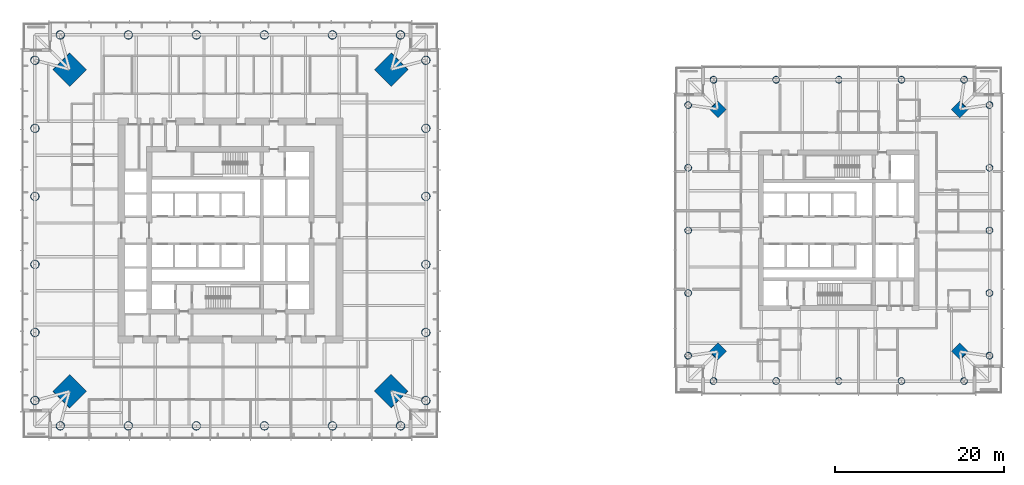
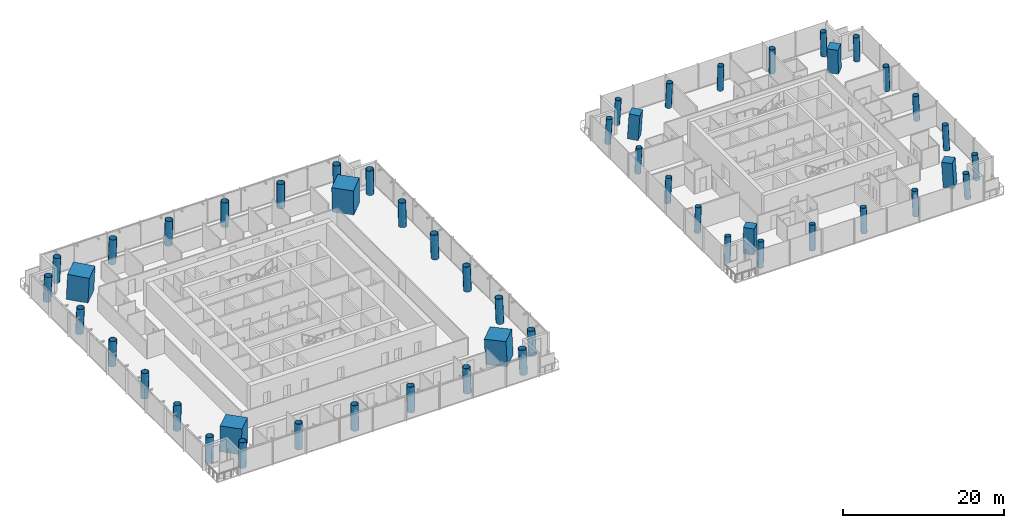
# One storey, part 1 of 21: 52 columns.
"""IFC4 building model written with IfcOpenShell, lengths in metres."""

from ifc_helpers import new_model, si_unit, direction, frame, origin, origin_2d, place, context, subcontext, project, spatial, rectangle, hollow_circle, extrude, material, material_profile, profile_set, type_object, element, save


model = new_model("IFC4")

# Units and contexts
model_context = context("Model", 3, precision=1e-05, world=origin(), true_north=direction((0.0, 1.0)))
body_context = subcontext(model_context, "Body", "Model", "MODEL_VIEW")
ifc_project = project(units=[si_unit("LENGTHUNIT", "METRE"), si_unit("AREAUNIT", "SQUARE_METRE"), si_unit("VOLUMEUNIT", "CUBIC_METRE"), si_unit("PLANEANGLEUNIT", "RADIAN"), si_unit("MASSUNIT", "GRAM", prefix="KILO")], contexts=[model_context])

# Site, building, storey
site_placement = place(None, origin())
site = spatial("IfcSite", under=ifc_project, at=site_placement, CompositionType="ELEMENT")
building_placement = place(site_placement, origin())
building = spatial("IfcBuilding", under=site, at=building_placement, Name="Ostroluk Exchange", CompositionType="ELEMENT")
storey_placement = place(building_placement, frame((0.0, 0.0, 47.60009765625)))
storey = spatial("IfcBuildingStorey", under=building, at=storey_placement, Name="L11", CompositionType="ELEMENT", Elevation=47.60009765625)

# Columns
ifc_material_1 = material(Name="Concrete C50/60", Category="concrete")
ifc_material_profile_1 = material_profile(ifc_material_1, rectangle(XDim=1.39990234375, YDim=1.39990234375, at=origin_2d()), Name="RC 1400x1400")
ifc_profile_set_1 = profile_set([ifc_material_profile_1], Name="Concrete C50/60")
column_type_1 = type_object("IfcColumnType", Name="Mega column RC 1400x1400", PredefinedType="COLUMN", material=ifc_profile_set_1)
for number, where, z_axis, x_axis, name in (
    (1, (131.353515625, 60.353515625, 0.0), (-0.043032401563, -0.043032401563, 0.998146494675), (0.707106781187, -0.707106781187, 0.0), "T2 mega column NE"),
    (2, (102.646484375, 60.353515625, 0.0), (0.043032401563, -0.043032401563, 0.998146494675), (0.707106781187, 0.707106781187, 0.0), "T2 mega column NW"),
    (3, (102.646484375, 31.646484375, 0.0), (0.043032401563, 0.043032401563, 0.998146494675), (-0.707106781187, 0.707106781187, 0.0), "T2 mega column SW"),
    (4, (131.353515625, 31.646484375, 0.0), (-0.043032401563, 0.043032401563, 0.998146494675), (-0.707106781187, -0.707106781187, 0.0), "T2 mega column SE"),
):
    element("IfcColumn", number, at=place(storey_placement, frame(where, z_axis=z_axis, x_axis=x_axis)), inside=storey, type_object=column_type_1, Name=name, PredefinedType="COLUMN", context=body_context, shape_type="SweptSolid", body=[
        extrude(rectangle(XDim=1.39990234375, YDim=1.39990234375, at=origin_2d()), origin(), (0.0, 0.0, 1.0), 3.806884765625),
    ])
ifc_material_2 = material(Name="Concrete C50/60", Category="concrete")
ifc_material_profile_2 = material_profile(ifc_material_2, rectangle(XDim=2.800048828125, YDim=2.800048828125, at=origin_2d()), Name="RC 2800x2800")
ifc_profile_set_2 = profile_set([ifc_material_profile_2], Name="Concrete C50/60")
column_type_2 = type_object("IfcColumnType", Name="Mega column RC 2800x2800", PredefinedType="COLUMN", material=ifc_profile_set_2)
for number, where, z_axis, x_axis, name in (
    (5, (64.050048828125, 65.050048828125, 0.0), (-0.031964207655, -0.031964207655, 0.998977766949), (0.707106781187, -0.707106781187, 0.0), "T1 mega column NE"),
    (6, (25.949951171875, 65.050048828125, 0.0), (0.031964207655, -0.031964207655, 0.998977766949), (0.707106781187, 0.707106781187, 0.0), "T1 mega column NW"),
    (7, (25.949951171875, 26.949951171875, 0.0), (0.031964207655, 0.031964207655, 0.998977766949), (-0.707106781187, 0.707106781187, 0.0), "T1 mega column SW"),
    (8, (64.050048828125, 26.949951171875, 0.0), (-0.031964207655, 0.031964207655, 0.998977766949), (-0.707106781187, -0.707106781187, 0.0), "T1 mega column SE"),
):
    element("IfcColumn", number, at=place(storey_placement, frame(where, z_axis=z_axis, x_axis=x_axis)), inside=storey, type_object=column_type_2, Name=name, PredefinedType="COLUMN", context=body_context, shape_type="SweptSolid", body=[
        extrude(rectangle(XDim=2.800048828125, YDim=2.800048828125, at=origin_2d()), origin(), (0.0, 0.0, 1.0), 3.8037109375),
    ])
ifc_material_3 = material(Name="Steel S460", Category="steel")
ifc_material_profile_3 = material_profile(ifc_material_3, hollow_circle(Radius=0.508056640625, WallThickness=0.0400390625, at=origin_2d()), Name="CHS 1016x40")
ifc_profile_set_3 = profile_set([ifc_material_profile_3], Name="Steel S460")
column_type_3 = type_object("IfcColumnType", Name="Perimeter column CHS 1016x40", PredefinedType="COLUMN", material=ifc_profile_set_3)
for number, where, z_axis, x_axis, name in (
    (9, (68.14990234375, 25.85009765625, 0.0), (-0.031900153262, 0.031900153262, 0.998981861919), (-0.707106781187, -0.707106781187, 0.0), "T1 east face column E0"),
    (10, (68.14990234375, 66.14990234375, 0.0), (-0.031900153262, -0.031900153262, 0.998981861919), (0.707106781187, -0.707106781187, 0.0), "T1 east face column E1"),
):
    element("IfcColumn", number, at=place(storey_placement, frame(where, z_axis=z_axis, x_axis=x_axis)), inside=storey, type_object=column_type_3, Name=name, PredefinedType="COLUMN", context=body_context, shape_type="SweptSolid", body=[
        extrude(hollow_circle(Radius=0.508056640625, WallThickness=0.0400390625, at=origin_2d()), origin(), (0.0, 0.0, 1.0), 3.8037109375),
    ])
column_1_placement = place(storey_placement, frame((68.14990234375, 33.909912109375, 0.0), z_axis=(-0.031910514827, 0.01919767391, 0.9993063436), x_axis=(-0.515509579284, -0.856883815734, 0.0)))
element("IfcColumn", 11, at=column_1_placement, inside=storey, type_object=column_type_3, Name="T1 east face column I1", PredefinedType="COLUMN", context=body_context, shape_type="SweptSolid", body=[
    extrude(hollow_circle(Radius=0.508056640625, WallThickness=0.0400390625, at=origin_2d()), origin(), (0.0, 0.0, 1.0), 3.802490234375),
])
for number, where, z_axis, x_axis, name in (
    (12, (68.14990234375, 41.969970703125, 0.0), (-0.031915738684, 0.006421677804, 0.999469933354), (-0.197254006954, -0.980352414563, 0.0), "T1 east face column I2"),
    (13, (68.14990234375, 50.030029296875, 0.0), (-0.031915738684, -0.006421677804, 0.999469933354), (0.197254006954, -0.980352414563, 0.0), "T1 east face column I3"),
):
    element("IfcColumn", number, at=place(storey_placement, frame(where, z_axis=z_axis, x_axis=x_axis)), inside=storey, type_object=column_type_3, Name=name, PredefinedType="COLUMN", context=body_context, shape_type="SweptSolid", body=[
        extrude(hollow_circle(Radius=0.508056640625, WallThickness=0.0400390625, at=origin_2d()), origin(), (0.0, 0.0, 1.0), 3.8017578125),
    ])
column_2_placement = place(storey_placement, frame((68.14990234375, 58.090087890625, 0.0), z_axis=(-0.031910514827, -0.01919767391, 0.9993063436), x_axis=(0.515509579284, -0.856883815734, 0.0)))
element("IfcColumn", 14, at=column_2_placement, inside=storey, type_object=column_type_3, Name="T1 east face column I4", PredefinedType="COLUMN", context=body_context, shape_type="SweptSolid", body=[
    extrude(hollow_circle(Radius=0.508056640625, WallThickness=0.0400390625, at=origin_2d()), origin(), (0.0, 0.0, 1.0), 3.802490234375),
])
for number, where, z_axis, x_axis, name in (
    (15, (65.14990234375, 69.14990234375, 0.0), (-0.031900153262, -0.031900153262, 0.998981861919), (0.707106781187, -0.707106781187, 0.0), "T1 north face column E0"),
    (16, (24.85009765625, 69.14990234375, 0.0), (0.031900153262, -0.031900153262, 0.998981861919), (0.707106781187, 0.707106781187, 0.0), "T1 north face column E1"),
):
    element("IfcColumn", number, at=place(storey_placement, frame(where, z_axis=z_axis, x_axis=x_axis)), inside=storey, type_object=column_type_3, Name=name, PredefinedType="COLUMN", context=body_context, shape_type="SweptSolid", body=[
        extrude(hollow_circle(Radius=0.508056640625, WallThickness=0.0400390625, at=origin_2d()), origin(), (0.0, 0.0, 1.0), 3.8037109375),
    ])
column_3_placement = place(storey_placement, frame((57.090087890625, 69.14990234375, 0.0), z_axis=(-0.01919767391, -0.031910514827, 0.9993063436), x_axis=(0.856883815734, -0.515509579284, 0.0)))
element("IfcColumn", 17, at=column_3_placement, inside=storey, type_object=column_type_3, Name="T1 north face column I1", PredefinedType="COLUMN", context=body_context, shape_type="SweptSolid", body=[
    extrude(hollow_circle(Radius=0.508056640625, WallThickness=0.0400390625, at=origin_2d()), origin(), (0.0, 0.0, 1.0), 3.802490234375),
])
for number, where, z_axis, x_axis, name in (
    (18, (49.030029296875, 69.14990234375, 0.0), (-0.006421677804, -0.031915738684, 0.999469933354), (0.980352414563, -0.197254006954, 0.0), "T1 north face column I2"),
    (19, (40.969970703125, 69.14990234375, 0.0), (0.006421677804, -0.031915738684, 0.999469933354), (0.980352414563, 0.197254006954, 0.0), "T1 north face column I3"),
):
    element("IfcColumn", number, at=place(storey_placement, frame(where, z_axis=z_axis, x_axis=x_axis)), inside=storey, type_object=column_type_3, Name=name, PredefinedType="COLUMN", context=body_context, shape_type="SweptSolid", body=[
        extrude(hollow_circle(Radius=0.508056640625, WallThickness=0.0400390625, at=origin_2d()), origin(), (0.0, 0.0, 1.0), 3.8017578125),
    ])
column_4_placement = place(storey_placement, frame((32.909912109375, 69.14990234375, 0.0), z_axis=(0.01919767391, -0.031910514827, 0.9993063436), x_axis=(0.856883815734, 0.515509579284, 0.0)))
element("IfcColumn", 20, at=column_4_placement, inside=storey, type_object=column_type_3, Name="T1 north face column I4", PredefinedType="COLUMN", context=body_context, shape_type="SweptSolid", body=[
    extrude(hollow_circle(Radius=0.508056640625, WallThickness=0.0400390625, at=origin_2d()), origin(), (0.0, 0.0, 1.0), 3.802490234375),
])
for number, where, z_axis, x_axis, name in (
    (21, (21.85009765625, 66.14990234375, 0.0), (0.031900153262, -0.031900153262, 0.998981861919), (0.707106781187, 0.707106781187, 0.0), "T1 west face column E0"),
    (22, (21.85009765625, 25.85009765625, 0.0), (0.031900153262, 0.031900153262, 0.998981861919), (-0.707106781187, 0.707106781187, 0.0), "T1 west face column E1"),
):
    element("IfcColumn", number, at=place(storey_placement, frame(where, z_axis=z_axis, x_axis=x_axis)), inside=storey, type_object=column_type_3, Name=name, PredefinedType="COLUMN", context=body_context, shape_type="SweptSolid", body=[
        extrude(hollow_circle(Radius=0.508056640625, WallThickness=0.0400390625, at=origin_2d()), origin(), (0.0, 0.0, 1.0), 3.8037109375),
    ])
column_5_placement = place(storey_placement, frame((21.85009765625, 58.090087890625, 0.0), z_axis=(0.031910514827, -0.01919767391, 0.9993063436), x_axis=(0.515509579284, 0.856883815734, 0.0)))
element("IfcColumn", 23, at=column_5_placement, inside=storey, type_object=column_type_3, Name="T1 west face column I1", PredefinedType="COLUMN", context=body_context, shape_type="SweptSolid", body=[
    extrude(hollow_circle(Radius=0.508056640625, WallThickness=0.0400390625, at=origin_2d()), origin(), (0.0, 0.0, 1.0), 3.802490234375),
])
for number, where, z_axis, x_axis, name in (
    (24, (21.85009765625, 50.030029296875, 0.0), (0.031915738684, -0.006421677804, 0.999469933354), (0.197254006954, 0.980352414563, 0.0), "T1 west face column I2"),
    (25, (21.85009765625, 41.969970703125, 0.0), (0.031915738684, 0.006421677804, 0.999469933354), (-0.197254006954, 0.980352414563, 0.0), "T1 west face column I3"),
):
    element("IfcColumn", number, at=place(storey_placement, frame(where, z_axis=z_axis, x_axis=x_axis)), inside=storey, type_object=column_type_3, Name=name, PredefinedType="COLUMN", context=body_context, shape_type="SweptSolid", body=[
        extrude(hollow_circle(Radius=0.508056640625, WallThickness=0.0400390625, at=origin_2d()), origin(), (0.0, 0.0, 1.0), 3.8017578125),
    ])
column_6_placement = place(storey_placement, frame((21.85009765625, 33.909912109375, 0.0), z_axis=(0.031910514827, 0.01919767391, 0.9993063436), x_axis=(-0.515509579284, 0.856883815734, 0.0)))
element("IfcColumn", 26, at=column_6_placement, inside=storey, type_object=column_type_3, Name="T1 west face column I4", PredefinedType="COLUMN", context=body_context, shape_type="SweptSolid", body=[
    extrude(hollow_circle(Radius=0.508056640625, WallThickness=0.0400390625, at=origin_2d()), origin(), (0.0, 0.0, 1.0), 3.802490234375),
])
for number, where, z_axis, x_axis, name in (
    (27, (24.85009765625, 22.85009765625, 0.0), (0.031900153262, 0.031900153262, 0.998981861919), (-0.707106781187, 0.707106781187, 0.0), "T1 south face column E0"),
    (28, (65.14990234375, 22.85009765625, 0.0), (-0.031900153262, 0.031900153262, 0.998981861919), (-0.707106781187, -0.707106781187, 0.0), "T1 south face column E1"),
):
    element("IfcColumn", number, at=place(storey_placement, frame(where, z_axis=z_axis, x_axis=x_axis)), inside=storey, type_object=column_type_3, Name=name, PredefinedType="COLUMN", context=body_context, shape_type="SweptSolid", body=[
        extrude(hollow_circle(Radius=0.508056640625, WallThickness=0.0400390625, at=origin_2d()), origin(), (0.0, 0.0, 1.0), 3.8037109375),
    ])
column_7_placement = place(storey_placement, frame((32.909912109375, 22.85009765625, 0.0), z_axis=(0.01919767391, 0.031910514827, 0.9993063436), x_axis=(-0.856883815734, 0.515509579284, 0.0)))
element("IfcColumn", 29, at=column_7_placement, inside=storey, type_object=column_type_3, Name="T1 south face column I1", PredefinedType="COLUMN", context=body_context, shape_type="SweptSolid", body=[
    extrude(hollow_circle(Radius=0.508056640625, WallThickness=0.0400390625, at=origin_2d()), origin(), (0.0, 0.0, 1.0), 3.802490234375),
])
for number, where, z_axis, x_axis, name in (
    (30, (40.969970703125, 22.85009765625, 0.0), (0.006421677804, 0.031915738684, 0.999469933354), (-0.980352414563, 0.197254006954, 0.0), "T1 south face column I2"),
    (31, (49.030029296875, 22.85009765625, 0.0), (-0.006421677804, 0.031915738684, 0.999469933354), (-0.980352414563, -0.197254006954, 0.0), "T1 south face column I3"),
):
    element("IfcColumn", number, at=place(storey_placement, frame(where, z_axis=z_axis, x_axis=x_axis)), inside=storey, type_object=column_type_3, Name=name, PredefinedType="COLUMN", context=body_context, shape_type="SweptSolid", body=[
        extrude(hollow_circle(Radius=0.508056640625, WallThickness=0.0400390625, at=origin_2d()), origin(), (0.0, 0.0, 1.0), 3.8017578125),
    ])
column_8_placement = place(storey_placement, frame((57.090087890625, 22.85009765625, 0.0), z_axis=(-0.01919767391, 0.031910514827, 0.9993063436), x_axis=(-0.856883815734, -0.515509579284, 0.0)))
element("IfcColumn", 32, at=column_8_placement, inside=storey, type_object=column_type_3, Name="T1 south face column I4", PredefinedType="COLUMN", context=body_context, shape_type="SweptSolid", body=[
    extrude(hollow_circle(Radius=0.508056640625, WallThickness=0.0400390625, at=origin_2d()), origin(), (0.0, 0.0, 1.0), 3.802490234375),
])
ifc_material_4 = material(Name="Steel S460", Category="steel")
ifc_material_profile_4 = material_profile(ifc_material_4, hollow_circle(Radius=0.406494140625, WallThickness=0.030029296875, at=origin_2d()), Name="CHS 813x30")
ifc_profile_set_4 = profile_set([ifc_material_profile_4], Name="Steel S460")
column_type_4 = type_object("IfcColumnType", Name="Perimeter column CHS 813x30", PredefinedType="COLUMN", material=ifc_profile_set_4)
for number, where, z_axis, x_axis, name in (
    (33, (134.853515625, 31.146484375, 0.0), (-0.043032401563, 0.043032401563, 0.998146494675), (-0.707106781187, -0.707106781187, 0.0), "T2 east face column E0"),
    (34, (134.853515625, 60.853515625, 0.0), (-0.043032401563, -0.043032401563, 0.998146494675), (0.707106781187, -0.707106781187, 0.0), "T2 east face column E1"),
):
    element("IfcColumn", number, at=place(storey_placement, frame(where, z_axis=z_axis, x_axis=x_axis)), inside=storey, type_object=column_type_4, Name=name, PredefinedType="COLUMN", context=body_context, shape_type="SweptSolid", body=[
        extrude(hollow_circle(Radius=0.406494140625, WallThickness=0.030029296875, at=origin_2d()), origin(), (0.0, 0.0, 1.0), 3.806884765625),
    ])
column_9_placement = place(storey_placement, frame((134.853515625, 38.5732421875, 0.0), z_axis=(-0.043062285527, 0.021563230905, 0.998839660125), x_axis=(-0.44774654769, -0.894160516368, 0.0)))
element("IfcColumn", 35, at=column_9_placement, inside=storey, type_object=column_type_4, Name="T2 east face column I1", PredefinedType="COLUMN", context=body_context, shape_type="SweptSolid", body=[
    extrude(hollow_circle(Radius=0.406494140625, WallThickness=0.030029296875, at=origin_2d()), origin(), (0.0, 0.0, 1.0), 3.80419921875),
])
column_10_placement = place(storey_placement, frame((134.853515625, 46.0, 0.0), z_axis=(-0.043072300418, 0.0, 0.999071957837), x_axis=(0.0, -1.0, 0.0)))
element("IfcColumn", 36, at=column_10_placement, inside=storey, type_object=column_type_4, Name="T2 east face column I2", PredefinedType="COLUMN", context=body_context, shape_type="SweptSolid", body=[
    extrude(hollow_circle(Radius=0.406494140625, WallThickness=0.030029296875, at=origin_2d()), origin(), (0.0, 0.0, 1.0), 3.80322265625),
])
column_11_placement = place(storey_placement, frame((134.853515625, 53.4267578125, 0.0), z_axis=(-0.043062285527, -0.021563230905, 0.998839660125), x_axis=(0.44774654769, -0.894160516368, 0.0)))
element("IfcColumn", 37, at=column_11_placement, inside=storey, type_object=column_type_4, Name="T2 east face column I3", PredefinedType="COLUMN", context=body_context, shape_type="SweptSolid", body=[
    extrude(hollow_circle(Radius=0.406494140625, WallThickness=0.030029296875, at=origin_2d()), origin(), (0.0, 0.0, 1.0), 3.80419921875),
])
for number, where, z_axis, x_axis, name in (
    (38, (131.853515625, 63.853515625, 0.0), (-0.043032401563, -0.043032401563, 0.998146494675), (0.707106781187, -0.707106781187, 0.0), "T2 north face column E0"),
    (39, (102.146484375, 63.853515625, 0.0), (0.043032401563, -0.043032401563, 0.998146494675), (0.707106781187, 0.707106781187, 0.0), "T2 north face column E1"),
):
    element("IfcColumn", number, at=place(storey_placement, frame(where, z_axis=z_axis, x_axis=x_axis)), inside=storey, type_object=column_type_4, Name=name, PredefinedType="COLUMN", context=body_context, shape_type="SweptSolid", body=[
        extrude(hollow_circle(Radius=0.406494140625, WallThickness=0.030029296875, at=origin_2d()), origin(), (0.0, 0.0, 1.0), 3.806884765625),
    ])
column_12_placement = place(storey_placement, frame((124.4267578125, 63.853515625, 0.0), z_axis=(-0.021563230905, -0.043062285527, 0.998839660125), x_axis=(0.894160516368, -0.44774654769, 0.0)))
element("IfcColumn", 40, at=column_12_placement, inside=storey, type_object=column_type_4, Name="T2 north face column I1", PredefinedType="COLUMN", context=body_context, shape_type="SweptSolid", body=[
    extrude(hollow_circle(Radius=0.406494140625, WallThickness=0.030029296875, at=origin_2d()), origin(), (0.0, 0.0, 1.0), 3.80419921875),
])
column_13_placement = place(storey_placement, frame((117.0, 63.853515625, 0.0), z_axis=(0.0, -0.043072300418, 0.999071957837), x_axis=(1.0, 0.0, 0.0)))
element("IfcColumn", 41, at=column_13_placement, inside=storey, type_object=column_type_4, Name="T2 north face column I2", PredefinedType="COLUMN", context=body_context, shape_type="SweptSolid", body=[
    extrude(hollow_circle(Radius=0.406494140625, WallThickness=0.030029296875, at=origin_2d()), origin(), (0.0, 0.0, 1.0), 3.80322265625),
])
column_14_placement = place(storey_placement, frame((109.5732421875, 63.853515625, 0.0), z_axis=(0.021563230905, -0.043062285527, 0.998839660125), x_axis=(0.894160516368, 0.44774654769, 0.0)))
element("IfcColumn", 42, at=column_14_placement, inside=storey, type_object=column_type_4, Name="T2 north face column I3", PredefinedType="COLUMN", context=body_context, shape_type="SweptSolid", body=[
    extrude(hollow_circle(Radius=0.406494140625, WallThickness=0.030029296875, at=origin_2d()), origin(), (0.0, 0.0, 1.0), 3.80419921875),
])
for number, where, z_axis, x_axis, name in (
    (43, (99.146484375, 60.853515625, 0.0), (0.043032401563, -0.043032401563, 0.998146494675), (0.707106781187, 0.707106781187, 0.0), "T2 west face column E0"),
    (44, (99.146484375, 31.146484375, 0.0), (0.043032401563, 0.043032401563, 0.998146494675), (-0.707106781187, 0.707106781187, 0.0), "T2 west face column E1"),
):
    element("IfcColumn", number, at=place(storey_placement, frame(where, z_axis=z_axis, x_axis=x_axis)), inside=storey, type_object=column_type_4, Name=name, PredefinedType="COLUMN", context=body_context, shape_type="SweptSolid", body=[
        extrude(hollow_circle(Radius=0.406494140625, WallThickness=0.030029296875, at=origin_2d()), origin(), (0.0, 0.0, 1.0), 3.806884765625),
    ])
column_15_placement = place(storey_placement, frame((99.146484375, 53.4267578125, 0.0), z_axis=(0.043062285527, -0.021563230905, 0.998839660125), x_axis=(0.44774654769, 0.894160516368, 0.0)))
element("IfcColumn", 45, at=column_15_placement, inside=storey, type_object=column_type_4, Name="T2 west face column I1", PredefinedType="COLUMN", context=body_context, shape_type="SweptSolid", body=[
    extrude(hollow_circle(Radius=0.406494140625, WallThickness=0.030029296875, at=origin_2d()), origin(), (0.0, 0.0, 1.0), 3.80419921875),
])
column_16_placement = place(storey_placement, frame((99.146484375, 46.0, 0.0), z_axis=(0.043072300418, 0.0, 0.999071957837), x_axis=(0.0, 1.0, 0.0)))
element("IfcColumn", 46, at=column_16_placement, inside=storey, type_object=column_type_4, Name="T2 west face column I2", PredefinedType="COLUMN", context=body_context, shape_type="SweptSolid", body=[
    extrude(hollow_circle(Radius=0.406494140625, WallThickness=0.030029296875, at=origin_2d()), origin(), (0.0, 0.0, 1.0), 3.80322265625),
])
column_17_placement = place(storey_placement, frame((99.146484375, 38.5732421875, 0.0), z_axis=(0.043062285527, 0.021563230905, 0.998839660125), x_axis=(-0.44774654769, 0.894160516368, 0.0)))
element("IfcColumn", 47, at=column_17_placement, inside=storey, type_object=column_type_4, Name="T2 west face column I3", PredefinedType="COLUMN", context=body_context, shape_type="SweptSolid", body=[
    extrude(hollow_circle(Radius=0.406494140625, WallThickness=0.030029296875, at=origin_2d()), origin(), (0.0, 0.0, 1.0), 3.80419921875),
])
for number, where, z_axis, x_axis, name in (
    (48, (102.146484375, 28.146484375, 0.0), (0.043032401563, 0.043032401563, 0.998146494675), (-0.707106781187, 0.707106781187, 0.0), "T2 south face column E0"),
    (49, (131.853515625, 28.146484375, 0.0), (-0.043032401563, 0.043032401563, 0.998146494675), (-0.707106781187, -0.707106781187, 0.0), "T2 south face column E1"),
):
    element("IfcColumn", number, at=place(storey_placement, frame(where, z_axis=z_axis, x_axis=x_axis)), inside=storey, type_object=column_type_4, Name=name, PredefinedType="COLUMN", context=body_context, shape_type="SweptSolid", body=[
        extrude(hollow_circle(Radius=0.406494140625, WallThickness=0.030029296875, at=origin_2d()), origin(), (0.0, 0.0, 1.0), 3.806884765625),
    ])
column_18_placement = place(storey_placement, frame((109.5732421875, 28.146484375, 0.0), z_axis=(0.021563230905, 0.043062285527, 0.998839660125), x_axis=(-0.894160516368, 0.44774654769, 0.0)))
element("IfcColumn", 50, at=column_18_placement, inside=storey, type_object=column_type_4, Name="T2 south face column I1", PredefinedType="COLUMN", context=body_context, shape_type="SweptSolid", body=[
    extrude(hollow_circle(Radius=0.406494140625, WallThickness=0.030029296875, at=origin_2d()), origin(), (0.0, 0.0, 1.0), 3.80419921875),
])
column_19_placement = place(storey_placement, frame((117.0, 28.146484375, 0.0), z_axis=(0.0, 0.043072300418, 0.999071957837), x_axis=(-1.0, 0.0, 0.0)))
element("IfcColumn", 51, at=column_19_placement, inside=storey, type_object=column_type_4, Name="T2 south face column I2", PredefinedType="COLUMN", context=body_context, shape_type="SweptSolid", body=[
    extrude(hollow_circle(Radius=0.406494140625, WallThickness=0.030029296875, at=origin_2d()), origin(), (0.0, 0.0, 1.0), 3.80322265625),
])
column_20_placement = place(storey_placement, frame((124.4267578125, 28.146484375, 0.0), z_axis=(-0.021563230905, 0.043062285527, 0.998839660125), x_axis=(-0.894160516368, -0.44774654769, 0.0)))
element("IfcColumn", 52, at=column_20_placement, inside=storey, type_object=column_type_4, Name="T2 south face column I3", PredefinedType="COLUMN", context=body_context, shape_type="SweptSolid", body=[
    extrude(hollow_circle(Radius=0.406494140625, WallThickness=0.030029296875, at=origin_2d()), origin(), (0.0, 0.0, 1.0), 3.80419921875),
])

save(model, "model.ifc")
